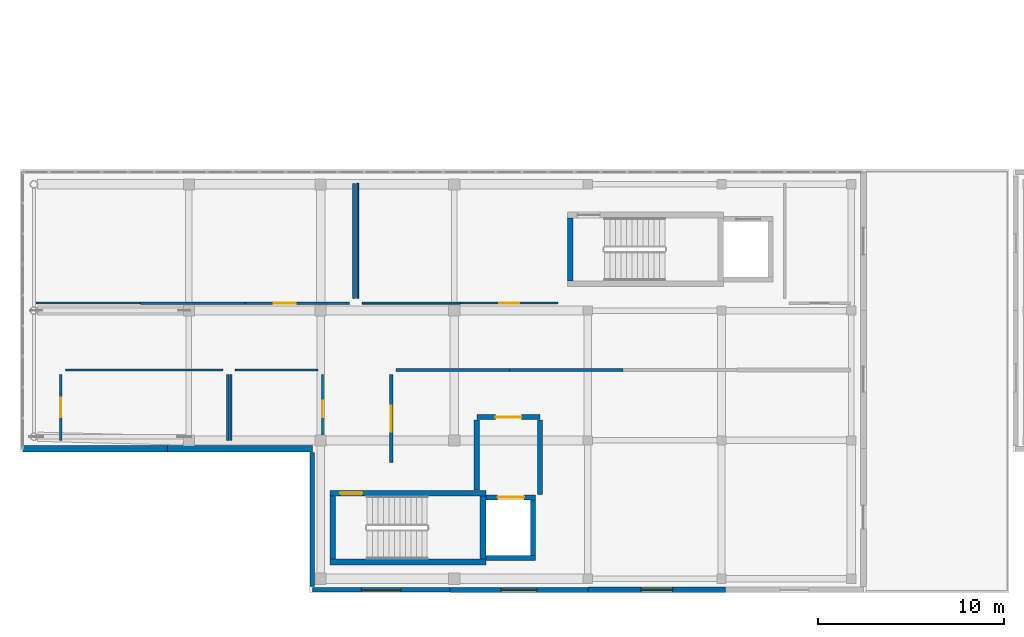
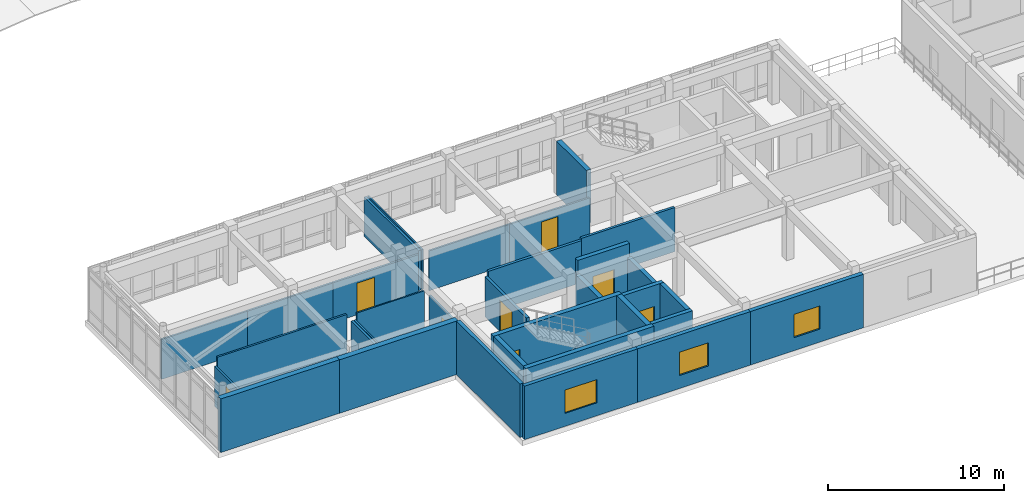
# One storey, part 46 of 52: 33 walls, 8 doors, 3 windows, 11 openings.
"""IFC4 building model written with IfcOpenShell, lengths in metres."""

import ifcopenshell
import ifcopenshell.guid

model = None  # the IFC model being written
_history = None  # IfcOwnerHistory: only IFC2X3 demands one
_inside = {}  # id of a spatial element -> (the spatial element, [elements in it])
_under = {}  # id of a project, library or spatial element -> (it, [spatial elements below it])
_declared = {}  # id of a project -> (the project, [libraries it declares])
_typed = {}  # id of a type object -> (the type object, [elements of that type])
_made_of = {}  # id of a material, layer set ... -> (it, [elements and type objects made of it])


def new_model(schema):
    """Start an empty IFC model of exactly this schema.

    Asked for "IFC4X3", IfcOpenShell would pick the latest addendum, in which some entities
    have other attributes; the version numbers below select the first issue.
    IFC2X3 requires an IfcOwnerHistory on every rooted entity: one is made here for all.
    """
    global model, _history
    if schema == "IFC4X3":
        model = ifcopenshell.file(schema_version=(4, 3, 0, 0))
    else:
        model = ifcopenshell.file(schema=schema)
    _inside.clear()
    _under.clear()
    _declared.clear()
    _typed.clear()
    _made_of.clear()
    _history = None
    if model.schema == "IFC2X3":
        org = make("IfcOrganization", Name="unknown")
        user = make(
            "IfcPersonAndOrganization",
            ThePerson=make("IfcPerson", FamilyName="unknown"),
            TheOrganization=org,
        )
        app = make(
            "IfcApplication",
            ApplicationDeveloper=org,
            Version="unknown",
            ApplicationFullName="unknown",
            ApplicationIdentifier="unknown",
        )
        _history = make(
            "IfcOwnerHistory",
            OwningUser=user,
            OwningApplication=app,
            ChangeAction="ADDED",
            CreationDate=0,
        )
    return model


def make(cls, **values):
    """One entity of the class cls with the attributes given. An attribute that is None is left unset."""
    return model.create_entity(
        cls, **{name: value for name, value in values.items() if value is not None}
    )


def rooted(cls, **values):
    """An entity with a GlobalId (a new one), such as an element, a storey or a relation."""
    return make(cls, GlobalId=ifcopenshell.guid.new(), OwnerHistory=_history, **values)


def si_unit(unit_type, name, prefix=None):
    """IfcSIUnit, for example si_unit("LENGTHUNIT", "METRE", prefix="MILLI")."""
    return make("IfcSIUnit", UnitType=unit_type, Prefix=prefix, Name=name)


def assignment(units):
    """IfcUnitAssignment: the units of a project."""
    return None if units is None else make("IfcUnitAssignment", Units=units)


def point(xyz):
    """IfcCartesianPoint."""
    return None if xyz is None else make("IfcCartesianPoint", Coordinates=xyz)


def direction(xyz):
    """IfcDirection."""
    return None if xyz is None else make("IfcDirection", DirectionRatios=xyz)


def frame(location, z_axis=None, x_axis=None):
    """IfcAxis2Placement3D, a coordinate frame: its origin and axes. An axis left out is left unset."""
    return make(
        "IfcAxis2Placement3D",
        Location=point(location),
        Axis=direction(z_axis),
        RefDirection=direction(x_axis),
    )


def frame_2d(location, x_axis=None):
    """IfcAxis2Placement2D, a coordinate frame in the plane: its origin and x axis."""
    return make(
        "IfcAxis2Placement2D", Location=point(location), RefDirection=direction(x_axis)
    )


def origin():
    """The frame at (0, 0, 0) with its axes left unset."""
    return frame((0.0, 0.0, 0.0))


def place(relative_to, where):
    """IfcLocalPlacement: puts the frame where relative to a parent placement (None: the world)."""
    return make(
        "IfcLocalPlacement", PlacementRelTo=relative_to, RelativePlacement=where
    )


def context(
    kind, dimensions, precision=None, world=None, true_north=None, identifier=None
):
    """IfcGeometricRepresentationContext, for example the 3D "Model" context."""
    return make(
        "IfcGeometricRepresentationContext",
        ContextIdentifier=identifier,
        ContextType=kind,
        CoordinateSpaceDimension=dimensions,
        Precision=precision,
        WorldCoordinateSystem=world,
        TrueNorth=true_north,
    )


def subcontext(parent, identifier, kind, view, scale=None):
    """IfcGeometricRepresentationSubContext, for example "Body" below "Model"."""
    return make(
        "IfcGeometricRepresentationSubContext",
        ContextIdentifier=identifier,
        ContextType=kind,
        ParentContext=parent,
        TargetScale=scale,
        TargetView=view,
    )


def project(units=None, contexts=None):
    """IfcProject with its units and contexts."""
    return rooted(
        "IfcProject",
        Name="project",
        RepresentationContexts=contexts,
        UnitsInContext=assignment(units),
    )


def spatial(cls, under=None, at=None, **own):
    """A site, building, storey or space (cls), placed at a placement, below another one or the project."""
    s = rooted(cls, ObjectPlacement=at, **own)
    if under is not None:
        _under.setdefault(under.id(), (under, []))[1].append(s)
    return s


def profile(cls, at=None, kind="AREA", **sizes):
    """A parametric profile (cls). Its sizes go by their IFC names, for example OverallWidth=200.0."""
    return make(cls, ProfileType=kind, Position=at, **sizes)


def rectangle(**sizes):
    """IfcRectangleProfileDef."""
    return profile("IfcRectangleProfileDef", **sizes)


def extrude(swept, where, along, depth):
    """IfcExtrudedAreaSolid: the profile swept, set in the frame where, extruded along a direction by depth."""
    return make(
        "IfcExtrudedAreaSolid",
        SweptArea=swept,
        Position=where,
        ExtrudedDirection=direction(along),
        Depth=depth,
    )


def shape(context_of_items, identifier, shape_type, items):
    """IfcShapeRepresentation: the items that make up one representation, for example the "Body"."""
    return make(
        "IfcShapeRepresentation",
        ContextOfItems=context_of_items,
        RepresentationIdentifier=identifier,
        RepresentationType=shape_type,
        Items=items,
    )


def material(Name=None, Category=None):
    """IfcMaterial."""
    return make("IfcMaterial", Name=Name, Category=Category)


def layer(
    of_material, thickness, ventilated=None, Name=None, Category=None, Priority=None
):
    """IfcMaterialLayer: one layer of a wall or slab, of a material (None: an air gap)."""
    return make(
        "IfcMaterialLayer",
        Material=of_material,
        LayerThickness=thickness,
        IsVentilated=ventilated,
        Name=Name,
        Category=Category,
        Priority=Priority,
    )


def layer_set(layers, Name=None):
    """IfcMaterialLayerSet."""
    return make("IfcMaterialLayerSet", MaterialLayers=layers, LayerSetName=Name)


def made_of(thing, what):
    """Note that an element or type object is made of a material, layer set ...; save() writes the relation."""
    if what is not None:
        _made_of.setdefault(what.id(), (what, []))[1].append(thing)
    return thing


def type_object(cls, material=None, **own):
    """A type object (cls), such as IfcWallType, which elements share."""
    return made_of(rooted(cls, **own), material)


def element(
    cls,
    number,
    at=None,
    inside=None,
    cuts=None,
    type_object=None,
    material=None,
    context=None,
    identifier="Body",
    shape_type=None,
    held_by="IfcProductDefinitionShape",
    body=None,
    shapes=None,
    **own,
):
    """One element of the class cls, such as IfcWall. Its Tag is "e" and its number.

    at: its placement. inside: the storey or other place that contains it. cuts: it is an
    opening in that element (IfcRelVoidsElement). A single representation is given by context,
    identifier, shape_type and body (its items); several are given by shapes. held_by: the class
    of the entity that holds the representations. save() writes the other relations.
    """
    e = rooted(cls, Tag="e%d" % number, ObjectPlacement=at, **own)
    if body is not None:
        shapes = [shape(context, identifier, shape_type, body)]
    if shapes is not None:
        e.Representation = make(held_by, Representations=shapes)
    if inside is not None:
        _inside.setdefault(inside.id(), (inside, []))[1].append(e)
    if cuts is not None:
        rooted(
            "IfcRelVoidsElement", RelatingBuildingElement=cuts, RelatedOpeningElement=e
        )
    if type_object is not None:
        _typed.setdefault(type_object.id(), (type_object, []))[1].append(e)
    return made_of(e, material)


def fill(opening, filler):
    """IfcRelFillsElement: the door or window that sits in an opening."""
    return rooted(
        "IfcRelFillsElement",
        RelatingOpeningElement=opening,
        RelatedBuildingElement=filler,
    )


def aggregate(whole, parts):
    """IfcRelAggregates: a whole, such as a stair, and the parts it consists of."""
    return rooted("IfcRelAggregates", RelatingObject=whole, RelatedObjects=parts)


def save(model, path):
    """Write the relations noted so far, then the file.

    IfcRelAggregates (storeys below a building ...), IfcRelContainedInSpatialStructure (elements
    in a storey), IfcRelDefinesByType, IfcRelAssociatesMaterial and IfcRelDeclares: one each for
    every whole, place, type object, material and project.
    """
    for whole, parts in _under.values():
        aggregate(whole, parts)
    for where, things in _inside.values():
        rooted(
            "IfcRelContainedInSpatialStructure",
            RelatedElements=things,
            RelatingStructure=where,
        )
    for kind, things in _typed.values():
        rooted("IfcRelDefinesByType", RelatedObjects=things, RelatingType=kind)
    for what, things in _made_of.values():
        rooted("IfcRelAssociatesMaterial", RelatedObjects=things, RelatingMaterial=what)
    for by, libraries in _declared.values():
        rooted("IfcRelDeclares", RelatingContext=by, RelatedDefinitions=libraries)
    model.write(path)


model = new_model("IFC4")

# Units and contexts
model_context = context("Model", 3, precision=1e-05, world=origin(), true_north=direction((0.0, 1.0)))
body_context = subcontext(model_context, "Body", "Model", "MODEL_VIEW")
ifc_project = project(units=[si_unit("LENGTHUNIT", "METRE"), si_unit("AREAUNIT", "SQUARE_METRE"), si_unit("VOLUMEUNIT", "CUBIC_METRE"), si_unit("PLANEANGLEUNIT", "RADIAN"), si_unit("MASSUNIT", "GRAM", prefix="KILO")], contexts=[model_context])

# Site, building, storey
site_placement = place(None, origin())
site = spatial("IfcSite", under=ifc_project, at=site_placement, CompositionType="ELEMENT")
building_placement = place(site_placement, origin())
building = spatial("IfcBuilding", under=site, at=building_placement, Name="Valcora Specialist Clinic", CompositionType="ELEMENT")
storey_placement = place(building_placement, frame((0.0, 0.0, 17.679931640625)))
storey = spatial("IfcBuildingStorey", under=building, at=storey_placement, Name="L04", CompositionType="ELEMENT", Elevation=17.679931640625)

# Wall, opening, door
ifc_material_1 = material(Name="Concrete C40/50", Category="concrete")
ifc_layer_1 = layer(ifc_material_1, 0.284912109375)
ifc_layer_set_1 = layer_set([ifc_layer_1], Name="Concrete C40/50")
wall_type_1 = type_object("IfcWallType", Name="TY-WL-CR285", PredefinedType="SHEAR", material=ifc_layer_set_1)
wall_1_placement = place(storey_placement, frame((24.6201171875, 9.4599609375, 0.0), z_axis=(0.0, 0.0, 1.0), x_axis=(1.0, 0.0, 0.0)))
wall_1 = element("IfcWall", 1, at=wall_1_placement, inside=storey, type_object=wall_type_1, Name="Firefighting lobby front wall WL-FFL-LF-05-L04-F", PredefinedType="SHEAR", context=body_context, shape_type="SweptSolid", body=[
    extrude(rectangle(XDim=3.39990234375, YDim=0.284912109375, at=frame_2d((1.699951171875, 0.0))), origin(), (0.0, 0.0, 1.0), 3.719970703125),
])
opening_1_placement = place(wall_1_placement, frame((1.0, 0.0, 0.0)))
opening_1 = element("IfcOpeningElement", 2, at=opening_1_placement, cuts=wall_1, Name="Opening DR-FF-140", PredefinedType="OPENING", context=body_context, shape_type="SweptSolid", body=[
    extrude(rectangle(XDim=1.39990234375, YDim=2.25, at=frame_2d((0.699951171875, 1.125))), frame((0.0, 0.15234375, 0.0), z_axis=(0.0, -1.0, 0.0), x_axis=(1.0, 0.0, 0.0)), (0.0, 0.0, 1.0), 0.304931640625),
])
ifc_material_2 = material(Name="Galvanized Hollow Metal Door Steel ASTM A653", Category="steel")
door_type_1 = type_object("IfcDoorType", Name="TY-DR-FF140", OperationType="NOTDEFINED", PredefinedType="DOOR", material=ifc_material_2)
door_1_placement = place(opening_1_placement, origin())
door_1 = element("IfcDoor", 3, at=door_1_placement, inside=storey, type_object=door_type_1, Name="Firefighting lobby fire door LF-05 L04", OperationType="SINGLE_SWING_LEFT", OverallHeight=2.25, OverallWidth=1.39990234375, PredefinedType="DOOR", context=body_context, shape_type="SweptSolid", body=[
    extrude(rectangle(XDim=1.39990234375, YDim=2.25, at=frame_2d((0.699951171875, 1.125))), frame((0.0, 0.02490234375, 0.0), z_axis=(0.0, -1.0, 0.0), x_axis=(1.0, 0.0, 0.0)), (0.0, 0.0, 1.0), 0.050048828125),
])
fill(opening_1, door_1)

# Walls
wall_2_placement = place(storey_placement, frame((24.6201171875, 5.52001953125, 0.0), z_axis=(0.0, 0.0, 1.0), x_axis=(0.0, 1.0, 0.0)))
element("IfcWall", 4, at=wall_2_placement, inside=storey, type_object=wall_type_1, Name="Firefighting lobby west wall", PredefinedType="SHEAR", context=body_context, shape_type="SweptSolid", body=[
    extrude(rectangle(XDim=3.7900390625, YDim=0.284912109375, at=frame_2d((1.89501953125, 0.0))), origin(), (0.0, 0.0, 1.0), 2.77001953125),
])
wall_3_placement = place(storey_placement, frame((28.02001953125, 5.280029296875, 0.0), z_axis=(0.0, 0.0, 1.0), x_axis=(0.0, 1.0, 0.0)))
element("IfcWall", 5, at=wall_3_placement, inside=storey, type_object=wall_type_1, Name="Firefighting lobby east wall", PredefinedType="SHEAR", context=body_context, shape_type="SweptSolid", body=[
    extrude(rectangle(XDim=4.030029296875, YDim=0.284912109375, at=frame_2d((2.01513671875, 0.0))), origin(), (0.0, 0.0, 1.0), 2.77001953125),
])
ifc_layer_2 = layer(ifc_material_1, 0.300048828125)
ifc_layer_set_2 = layer_set([ifc_layer_2], Name="Concrete C40/50")
wall_type_2 = type_object("IfcWallType", Name="TY-WL-CR300", PredefinedType="SHEAR", material=ifc_layer_set_2)
wall_4_placement = place(storey_placement, frame((16.699951171875, 1.64990234375, 0.0), z_axis=(0.0, 0.0, 1.0), x_axis=(1.0, 0.0, 0.0)))
element("IfcWall", 6, at=wall_4_placement, inside=storey, type_object=wall_type_2, Name="Core shear wall WL-CR-C-V5A-L04-S", PredefinedType="SHEAR", context=body_context, shape_type="SweptSolid", body=[
    extrude(rectangle(XDim=8.420166015625, YDim=0.300048828125, at=frame_2d((4.2099609375, 0.0))), origin(), (0.0, 0.0, 1.0), 3.719970703125),
])

# Wall, opening, door
wall_5_placement = place(storey_placement, frame((16.699951171875, 5.35009765625, 0.0), z_axis=(0.0, 0.0, 1.0), x_axis=(1.0, 0.0, 0.0)))
wall_5 = element("IfcWall", 7, at=wall_5_placement, inside=storey, type_object=wall_type_2, Name="Core shear wall WL-CR-C-V5A-L04-N", PredefinedType="SHEAR", context=body_context, shape_type="SweptSolid", body=[
    extrude(rectangle(XDim=8.420166015625, YDim=0.300048828125, at=frame_2d((4.2099609375, 0.0))), origin(), (0.0, 0.0, 1.0), 3.719970703125),
])
opening_2_placement = place(wall_5_placement, frame((0.550048828125, 0.0, 0.0)))
opening_2 = element("IfcOpeningElement", 8, at=opening_2_placement, cuts=wall_5, Name="Opening DR-FD-120", PredefinedType="OPENING", context=body_context, shape_type="SweptSolid", body=[
    extrude(rectangle(XDim=1.199951171875, YDim=2.199951171875, at=frame_2d((0.60009765625, 1.10009765625))), frame((0.0, 0.159912109375, 0.0), z_axis=(0.0, -1.0, 0.0), x_axis=(1.0, 0.0, 0.0)), (0.0, 0.0, 1.0), 0.320068359375),
])
door_type_2 = type_object("IfcDoorType", Name="TY-DR-ST120", OperationType="NOTDEFINED", PredefinedType="DOOR", material=ifc_material_2)
door_2_placement = place(opening_2_placement, origin())
door_2 = element("IfcDoor", 9, at=door_2_placement, inside=storey, type_object=door_type_2, Name="Exit stair fire door C-V5A L04", OperationType="SINGLE_SWING_RIGHT", OverallHeight=2.199951171875, OverallWidth=1.199951171875, PredefinedType="DOOR", context=body_context, shape_type="SweptSolid", body=[
    extrude(rectangle(XDim=1.199951171875, YDim=2.199951171875, at=frame_2d((0.60009765625, 1.10009765625))), frame((0.0, 0.02490234375, 0.0), z_axis=(0.0, -1.0, 0.0), x_axis=(1.0, 0.0, 0.0)), (0.0, 0.0, 1.0), 0.050048828125),
])
fill(opening_2, door_2)

# Walls
for number, where, z_axis, x_axis, name in (
    (10, (16.85009765625, 1.802001953125, 0.0), (0.0, 0.0, 1.0), (0.0, 1.0, 0.0), "Core shear wall WL-CR-C-V5A-L04-W"),
    (11, (29.64990234375, 16.802001953125, 0.0), (0.0, 0.0, 1.0), (0.0, 1.0, 0.0), "Core shear wall WL-CR-C-V5B-L04-W"),
):
    element("IfcWall", number, at=place(storey_placement, frame(where, z_axis=z_axis, x_axis=x_axis)), inside=storey, type_object=wall_type_2, Name=name, PredefinedType="SHEAR", context=body_context, shape_type="SweptSolid", body=[
        extrude(rectangle(XDim=3.39599609375, YDim=0.300048828125, at=frame_2d((1.697998046875, 0.0))), origin(), (0.0, 0.0, 1.0), 3.719970703125),
    ])
ifc_layer_3 = layer(ifc_material_1, 0.320068359375)
ifc_layer_set_3 = layer_set([ifc_layer_3], Name="Concrete C40/50")
wall_type_3 = type_object("IfcWallType", Name="TY-WL-CR320", PredefinedType="SHEAR", material=ifc_layer_set_3)
wall_6_placement = place(storey_placement, frame((24.9599609375, 1.802001953125, 0.0), z_axis=(0.0, 0.0, 1.0), x_axis=(0.0, 1.0, 0.0)))
element("IfcWall", 12, at=wall_6_placement, inside=storey, type_object=wall_type_3, Name="Core shear wall WL-CR-C-V5A-L04-E", PredefinedType="SHEAR", context=body_context, shape_type="SweptSolid", body=[
    extrude(rectangle(XDim=3.39599609375, YDim=0.320068359375, at=frame_2d((1.697998046875, 0.0))), origin(), (0.0, 0.0, 1.0), 3.719970703125),
])
ifc_material_3 = material(Name="Extruded Jalisco Clay Brick Masonry", Category="masonry")
ifc_layer_4 = layer(ifc_material_3, 0.235107421875)
ifc_layer_set_4 = layer_set([ifc_layer_4], Name="Extruded Jalisco Clay Brick Masonry")
wall_type_4 = type_object("IfcWallType", Name="TY-WL-EW235", PredefinedType="SOLIDWALL", material=ifc_layer_set_4)
wall_7_placement = place(storey_placement, frame((15.75, 0.340087890625, 0.0), z_axis=(0.0, 0.0, 1.0), x_axis=(0.0, 1.0, 0.0)))
element("IfcWall", 13, at=wall_7_placement, inside=storey, type_object=wall_type_4, Name="Exterior wall WL-EXT-L04-0280", PredefinedType="SOLIDWALL", context=body_context, shape_type="SweptSolid", body=[
    extrude(rectangle(XDim=7.219970703125, YDim=0.235107421875, at=frame_2d((3.60986328125, 0.0))), origin(), (0.0, 0.0, 1.0), 3.719970703125),
])

# Wall, opening, window
ifc_layer_5 = layer(ifc_material_3, 0.25)
ifc_layer_set_5 = layer_set([ifc_layer_5], Name="Extruded Jalisco Clay Brick Masonry")
wall_type_5 = type_object("IfcWallType", Name="TY-WL-EW250", PredefinedType="SOLIDWALL", material=ifc_layer_set_5)
wall_8_placement = place(storey_placement, frame((23.175048828125, 0.14990234375, 0.0), z_axis=(0.0, 0.0, 1.0), x_axis=(-1.0, 0.0, 0.0)))
wall_8 = element("IfcWall", 14, at=wall_8_placement, inside=storey, type_object=wall_type_5, Name="Exterior wall WL-EXT-L04-0289", PredefinedType="SOLIDWALL", context=body_context, shape_type="SweptSolid", body=[
    extrude(rectangle(XDim=7.425048828125, YDim=0.25, at=frame_2d((3.71240234375, 0.0))), origin(), (0.0, 0.0, 1.0), 3.719970703125),
])
opening_3_placement = place(wall_8_placement, frame((2.653076171875, 0.0, 0.89990234375)))
opening_3 = element("IfcOpeningElement", 15, at=opening_3_placement, cuts=wall_8, Name="Opening WN-37", PredefinedType="OPENING", context=body_context, shape_type="SweptSolid", body=[
    extrude(rectangle(XDim=2.1201171875, YDim=1.6201171875, at=frame_2d((1.06005859375, 0.81005859375))), frame((0.0, 0.135009765625, 0.0), z_axis=(0.0, -1.0, 0.0), x_axis=(1.0, 0.0, 0.0)), (0.0, 0.0, 1.0), 0.27001953125),
])
ifc_material_4 = material(Name="Low-E Laminated Insulating Glass", Category="glass")
window_type_1 = type_object("IfcWindowType", Name="TY-WN-37", PartitioningType="SINGLE_PANEL", PredefinedType="WINDOW", material=ifc_material_4)
window_1_placement = place(opening_3_placement, origin())
window_1 = element("IfcWindow", 16, at=window_1_placement, inside=storey, type_object=window_type_1, Name="Facade window WN-L04-0247", OverallHeight=1.6201171875, OverallWidth=2.1201171875, PartitioningType="SINGLE_PANEL", PredefinedType="WINDOW", context=body_context, shape_type="SweptSolid", body=[
    extrude(rectangle(XDim=2.1201171875, YDim=1.6201171875, at=frame_2d((1.06005859375, 0.81005859375))), frame((0.0, 0.030029296875, 0.0), z_axis=(0.0, -1.0, 0.0), x_axis=(1.0, 0.0, 0.0)), (0.0, 0.0, 1.0), 0.06005859375),
])
fill(opening_3, window_1)

ifc_layer_6 = layer(ifc_material_3, 0.264892578125)
ifc_layer_set_6 = layer_set([ifc_layer_6], Name="Extruded Jalisco Clay Brick Masonry")
wall_type_6 = type_object("IfcWallType", Name="TY-WL-EW265", PredefinedType="SOLIDWALL", material=ifc_layer_set_6)
wall_9_placement = place(storey_placement, frame((30.60009765625, 0.14990234375, 0.0), z_axis=(0.0, 0.0, 1.0), x_axis=(-1.0, 0.0, 0.0)))
wall_9 = element("IfcWall", 17, at=wall_9_placement, inside=storey, type_object=wall_type_6, Name="Exterior wall WL-EXT-L04-0288", PredefinedType="SOLIDWALL", context=body_context, shape_type="SweptSolid", body=[
    extrude(rectangle(XDim=7.425048828125, YDim=0.264892578125, at=frame_2d((3.71240234375, 0.0))), origin(), (0.0, 0.0, 1.0), 3.719970703125),
])
opening_4_placement = place(wall_9_placement, frame((2.7529296875, 0.0, 0.89990234375)))
opening_4 = element("IfcOpeningElement", 18, at=opening_4_placement, cuts=wall_9, Name="Opening WN-36", PredefinedType="OPENING", context=body_context, shape_type="SweptSolid", body=[
    extrude(rectangle(XDim=1.919921875, YDim=1.6201171875, at=frame_2d((0.9599609375, 0.81005859375))), frame((0.0, 0.142333984375, 0.0), z_axis=(0.0, -1.0, 0.0), x_axis=(1.0, 0.0, 0.0)), (0.0, 0.0, 1.0), 0.284912109375),
])
window_type_2 = type_object("IfcWindowType", Name="TY-WN-36", PartitioningType="SINGLE_PANEL", PredefinedType="WINDOW", material=ifc_material_4)
window_2_placement = place(opening_4_placement, origin())
window_2 = element("IfcWindow", 19, at=window_2_placement, inside=storey, type_object=window_type_2, Name="Facade window WN-L04-0246", OverallHeight=1.6201171875, OverallWidth=1.919921875, PartitioningType="SINGLE_PANEL", PredefinedType="WINDOW", context=body_context, shape_type="SweptSolid", body=[
    extrude(rectangle(XDim=1.919921875, YDim=1.6201171875, at=frame_2d((0.9599609375, 0.81005859375))), frame((0.0, 0.030029296875, 0.0), z_axis=(0.0, -1.0, 0.0), x_axis=(1.0, 0.0, 0.0)), (0.0, 0.0, 1.0), 0.06005859375),
])
fill(opening_4, window_2)

ifc_layer_7 = layer(ifc_material_3, 0.280029296875)
ifc_layer_set_7 = layer_set([ifc_layer_7], Name="Extruded Jalisco Clay Brick Masonry")
wall_type_7 = type_object("IfcWallType", Name="TY-WL-EW280", PredefinedType="SOLIDWALL", material=ifc_layer_set_7)
wall_10_placement = place(storey_placement, frame((38.02490234375, 0.14990234375, 0.0), z_axis=(0.0, 0.0, 1.0), x_axis=(-1.0, 0.0, 0.0)))
wall_10 = element("IfcWall", 20, at=wall_10_placement, inside=storey, type_object=wall_type_7, Name="Exterior wall WL-EXT-L04-0287", PredefinedType="SOLIDWALL", context=body_context, shape_type="SweptSolid", body=[
    extrude(rectangle(XDim=7.4248046875, YDim=0.280029296875, at=frame_2d((3.71240234375, 0.0))), origin(), (0.0, 0.0, 1.0), 3.719970703125),
])
opening_5_placement = place(wall_10_placement, frame((2.85205078125, 0.0, 0.89990234375)))
opening_5 = element("IfcOpeningElement", 21, at=opening_5_placement, cuts=wall_10, Name="Opening WN-35", PredefinedType="OPENING", context=body_context, shape_type="SweptSolid", body=[
    extrude(rectangle(XDim=1.719970703125, YDim=1.6201171875, at=frame_2d((0.85986328125, 0.81005859375))), frame((0.0, 0.14990234375, 0.0), z_axis=(0.0, -1.0, 0.0), x_axis=(1.0, 0.0, 0.0)), (0.0, 0.0, 1.0), 0.300048828125),
])
window_type_3 = type_object("IfcWindowType", Name="TY-WN-35", PartitioningType="SINGLE_PANEL", PredefinedType="WINDOW", material=ifc_material_4)
window_3_placement = place(opening_5_placement, origin())
window_3 = element("IfcWindow", 22, at=window_3_placement, inside=storey, type_object=window_type_3, Name="Facade window WN-L04-0245", OverallHeight=1.6201171875, OverallWidth=1.719970703125, PartitioningType="SINGLE_PANEL", PredefinedType="WINDOW", context=body_context, shape_type="SweptSolid", body=[
    extrude(rectangle(XDim=1.719970703125, YDim=1.6201171875, at=frame_2d((0.85986328125, 0.81005859375))), frame((0.0, 0.030029296875, 0.0), z_axis=(0.0, -1.0, 0.0), x_axis=(1.0, 0.0, 0.0)), (0.0, 0.0, 1.0), 0.06005859375),
])
fill(opening_5, window_3)

# Walls
ifc_layer_8 = layer(ifc_material_3, 0.35498046875)
ifc_layer_set_8 = layer_set([ifc_layer_8], Name="Extruded Jalisco Clay Brick Masonry")
wall_type_8 = type_object("IfcWallType", Name="TY-WL-EW355", PredefinedType="SOLIDWALL", material=ifc_layer_set_8)
wall_11_placement = place(storey_placement, frame((7.949951171875, 7.75, 0.0), z_axis=(0.0, 0.0, 1.0), x_axis=(-1.0, 0.0, 0.0)))
element("IfcWall", 23, at=wall_11_placement, inside=storey, type_object=wall_type_8, Name="Exterior wall WL-EXT-L04-0282", PredefinedType="SOLIDWALL", context=body_context, shape_type="SweptSolid", body=[
    extrude(rectangle(XDim=7.800048828125, YDim=0.35498046875, at=frame_2d((3.89990234375, 0.0))), origin(), (0.0, 0.0, 1.0), 3.719970703125),
])
ifc_layer_9 = layer(ifc_material_3, 0.3701171875)
ifc_layer_set_9 = layer_set([ifc_layer_9], Name="Extruded Jalisco Clay Brick Masonry")
wall_type_9 = type_object("IfcWallType", Name="TY-WL-EW370", PredefinedType="SOLIDWALL", material=ifc_layer_set_9)
wall_12_placement = place(storey_placement, frame((15.75, 7.75, 0.0), z_axis=(0.0, 0.0, 1.0), x_axis=(-1.0, 0.0, 0.0)))
element("IfcWall", 24, at=wall_12_placement, inside=storey, type_object=wall_type_9, Name="Exterior wall WL-EXT-L04-0281", PredefinedType="SOLIDWALL", context=body_context, shape_type="SweptSolid", body=[
    extrude(rectangle(XDim=7.800048828125, YDim=0.3701171875, at=frame_2d((3.89990234375, 0.0))), origin(), (0.0, 0.0, 1.0), 3.719970703125),
])
ifc_material_5 = material(Name="Gypsum Board Partition Assembly")
ifc_layer_10 = layer(ifc_material_5, 0.094970703125)
ifc_layer_set_10 = layer_set([ifc_layer_10], Name="Gypsum Board Partition Assembly")
wall_type_10 = type_object("IfcWallType", Name="TY-WL-PT095", PredefinedType="PARTITIONING", material=ifc_layer_set_10)
wall_13_placement = place(storey_placement, frame((18.199951171875, 15.85009765625, 0.0), z_axis=(0.0, 0.0, 1.0), x_axis=(0.0, 1.0, 0.0)))
element("IfcWall", 25, at=wall_13_placement, inside=storey, type_object=wall_type_10, Name="Interior partition WL-INT-L04-0467", PredefinedType="PARTITIONING", context=body_context, shape_type="SweptSolid", body=[
    extrude(rectangle(XDim=6.199951171875, YDim=0.094970703125, at=frame_2d((3.10009765625, 0.0))), origin(), (0.0, 0.0, 1.0), 2.77001953125),
])
wall_14_placement = place(storey_placement, frame((11.610107421875, 12.0, 0.0), z_axis=(0.0, 0.0, 1.0), x_axis=(1.0, 0.0, 0.0)))
element("IfcWall", 26, at=wall_14_placement, inside=storey, type_object=wall_type_10, Name="Interior partition WL-INT-L04-0473", PredefinedType="PARTITIONING", context=body_context, shape_type="SweptSolid", body=[
    extrude(rectangle(XDim=4.43994140625, YDim=0.094970703125, at=frame_2d((2.219970703125, 0.0))), origin(), (0.0, 0.0, 1.0), 3.02001953125),
])
ifc_layer_11 = layer(ifc_material_5, 0.10498046875)
ifc_layer_set_11 = layer_set([ifc_layer_11], Name="Gypsum Board Partition Assembly")
wall_type_11 = type_object("IfcWallType", Name="TY-WL-PT105", PredefinedType="PARTITIONING", material=ifc_layer_set_11)
wall_15_placement = place(storey_placement, frame((23.72509765625, 15.60009765625, 0.0), z_axis=(0.0, 0.0, 1.0), x_axis=(-1.0, 0.0, 0.0)))
element("IfcWall", 27, at=wall_15_placement, inside=storey, type_object=wall_type_11, Name="Interior partition WL-INT-L04-0466", PredefinedType="PARTITIONING", context=body_context, shape_type="SweptSolid", body=[
    extrude(rectangle(XDim=5.275146484375, YDim=0.10498046875, at=frame_2d((2.6376953125, 0.0))), origin(), (0.0, 0.0, 1.0), 2.77001953125),
])
wall_16_placement = place(storey_placement, frame((11.360107421875, 8.2099609375, 0.0), z_axis=(0.0, 0.0, 1.0), x_axis=(0.0, 1.0, 0.0)))
element("IfcWall", 28, at=wall_16_placement, inside=storey, type_object=wall_type_11, Name="Interior partition WL-INT-L04-0472", PredefinedType="PARTITIONING", context=body_context, shape_type="SweptSolid", body=[
    extrude(rectangle(XDim=3.5400390625, YDim=0.10498046875, at=frame_2d((1.77001953125, 0.0))), origin(), (0.0, 0.0, 1.0), 2.77001953125),
])
ifc_layer_12 = layer(ifc_material_5, 0.114990234375)
ifc_layer_set_12 = layer_set([ifc_layer_12], Name="Gypsum Board Partition Assembly")
wall_type_12 = type_object("IfcWallType", Name="TY-WL-PT115", PredefinedType="PARTITIONING", material=ifc_layer_set_12)
wall_17_placement = place(storey_placement, frame((6.48291015625, 15.60009765625, 0.0), z_axis=(0.0, 0.0, 1.0), x_axis=(-1.0, 0.0, 0.0)))
element("IfcWall", 29, at=wall_17_placement, inside=storey, type_object=wall_type_12, Name="Interior partition WL-INT-L04-0459", PredefinedType="PARTITIONING", context=body_context, shape_type="SweptSolid", body=[
    extrude(rectangle(XDim=5.6328125, YDim=0.114990234375, at=frame_2d((2.81640625, 0.0))), origin(), (0.0, 0.0, 1.0), 2.77001953125),
])

# Wall, opening, door
wall_18_placement = place(storey_placement, frame((29.0, 15.60009765625, 0.0), z_axis=(0.0, 0.0, 1.0), x_axis=(-1.0, 0.0, 0.0)))
wall_18 = element("IfcWall", 30, at=wall_18_placement, inside=storey, type_object=wall_type_12, Name="Interior partition WL-INT-L04-0465", PredefinedType="PARTITIONING", context=body_context, shape_type="SweptSolid", body=[
    extrude(rectangle(XDim=5.27490234375, YDim=0.114990234375, at=frame_2d((2.637451171875, 0.0))), origin(), (0.0, 0.0, 1.0), 2.77001953125),
])
opening_6_placement = place(wall_18_placement, frame((2.0869140625, 0.0, 0.0)))
opening_6 = element("IfcOpeningElement", 31, at=opening_6_placement, cuts=wall_18, Name="Opening DR-CN-110", PredefinedType="OPENING", context=body_context, shape_type="SweptSolid", body=[
    extrude(rectangle(XDim=1.10009765625, YDim=2.199951171875, at=frame_2d((0.550048828125, 1.10009765625))), frame((0.0, 0.0673828125, 0.0), z_axis=(0.0, -1.0, 0.0), x_axis=(1.0, 0.0, 0.0)), (0.0, 0.0, 1.0), 0.135009765625),
])
ifc_material_6 = material(Name="Glulam Conifer Class 24F", Category="wood")
door_type_3 = type_object("IfcDoorType", Name="TY-DR-CN110", OperationType="NOTDEFINED", PredefinedType="DOOR", material=ifc_material_6)
door_3_placement = place(opening_6_placement, origin())
door_3 = element("IfcDoor", 32, at=door_3_placement, inside=storey, type_object=door_type_3, Name="Interior door DR-INT-L04-0130", OperationType="SINGLE_SWING_RIGHT", OverallHeight=2.199951171875, OverallWidth=1.10009765625, PredefinedType="DOOR", context=body_context, shape_type="SweptSolid", body=[
    extrude(rectangle(XDim=1.10009765625, YDim=2.199951171875, at=frame_2d((0.550048828125, 1.10009765625))), frame((0.0, 0.02490234375, 0.0), z_axis=(0.0, -1.0, 0.0), x_axis=(1.0, 0.0, 0.0)), (0.0, 0.0, 1.0), 0.050048828125),
])
fill(opening_6, door_3)

wall_19_placement = place(storey_placement, frame((16.300048828125, 11.75, 0.0), z_axis=(0.0, 0.0, 1.0), x_axis=(0.0, -1.0, 0.0)))
wall_19 = element("IfcWall", 33, at=wall_19_placement, inside=storey, type_object=wall_type_12, Name="Interior partition WL-INT-L04-0471", PredefinedType="PARTITIONING", context=body_context, shape_type="SweptSolid", body=[
    extrude(rectangle(XDim=3.699951171875, YDim=0.114990234375, at=frame_2d((1.85009765625, 0.0))), origin(), (0.0, 0.0, 1.0), 2.77001953125),
])
opening_7_placement = place(wall_19_placement, frame((1.409912109375, 0.0, 0.0)))
opening_7 = element("IfcOpeningElement", 34, at=opening_7_placement, cuts=wall_19, Name="Opening DR-WC-088", PredefinedType="OPENING", context=body_context, shape_type="SweptSolid", body=[
    extrude(rectangle(XDim=0.8798828125, YDim=2.10009765625, at=frame_2d((0.43994140625, 1.050048828125))), frame((0.0, 0.0673828125, 0.0), z_axis=(0.0, -1.0, 0.0), x_axis=(1.0, 0.0, 0.0)), (0.0, 0.0, 1.0), 0.135009765625),
])
door_type_4 = type_object("IfcDoorType", Name="TY-DR-WC088", OperationType="NOTDEFINED", PredefinedType="DOOR", material=ifc_material_6)
door_4_placement = place(opening_7_placement, origin())
door_4 = element("IfcDoor", 35, at=door_4_placement, inside=storey, type_object=door_type_4, Name="Interior door DR-INT-L04-0132", OperationType="SINGLE_SWING_RIGHT", OverallHeight=2.10009765625, OverallWidth=0.8798828125, PredefinedType="DOOR", context=body_context, shape_type="SweptSolid", body=[
    extrude(rectangle(XDim=0.8798828125, YDim=2.10009765625, at=frame_2d((0.43994140625, 1.050048828125))), frame((0.0, 0.02490234375, 0.0), z_axis=(0.0, -1.0, 0.0), x_axis=(1.0, 0.0, 0.0)), (0.0, 0.0, 1.0), 0.050048828125),
])
fill(opening_7, door_4)

# Walls
ifc_layer_13 = layer(ifc_material_5, 0.125)
ifc_layer_set_13 = layer_set([ifc_layer_13], Name="Gypsum Board Partition Assembly")
wall_type_13 = type_object("IfcWallType", Name="TY-WL-PT125", PredefinedType="PARTITIONING", material=ifc_layer_set_13)
wall_20_placement = place(storey_placement, frame((12.116943359375, 15.60009765625, 0.0), z_axis=(0.0, 0.0, 1.0), x_axis=(-1.0, 0.0, 0.0)))
element("IfcWall", 36, at=wall_20_placement, inside=storey, type_object=wall_type_13, Name="Interior partition WL-INT-L04-0458", PredefinedType="PARTITIONING", context=body_context, shape_type="SweptSolid", body=[
    extrude(rectangle(XDim=5.634033203125, YDim=0.125, at=frame_2d((2.81689453125, 0.0))), origin(), (0.0, 0.0, 1.0), 2.77001953125),
])
wall_21_placement = place(storey_placement, frame((2.449951171875, 12.0, 0.0), z_axis=(0.0, 0.0, 1.0), x_axis=(1.0, 0.0, 0.0)))
element("IfcWall", 37, at=wall_21_placement, inside=storey, type_object=wall_type_13, Name="Interior partition WL-INT-L04-0470", PredefinedType="PARTITIONING", context=body_context, shape_type="SweptSolid", body=[
    extrude(rectangle(XDim=8.5, YDim=0.125, at=frame_2d((4.25, 0.0))), origin(), (0.0, 0.0, 1.0), 3.170166015625),
])

# Wall, opening, door
ifc_layer_14 = layer(ifc_material_5, 0.135009765625)
ifc_layer_set_14 = layer_set([ifc_layer_14], Name="Gypsum Board Partition Assembly")
wall_type_14 = type_object("IfcWallType", Name="TY-WL-PT135", PredefinedType="PARTITIONING", material=ifc_layer_set_14)
wall_22_placement = place(storey_placement, frame((17.75, 15.60009765625, 0.0), z_axis=(0.0, 0.0, 1.0), x_axis=(-1.0, 0.0, 0.0)))
wall_22 = element("IfcWall", 38, at=wall_22_placement, inside=storey, type_object=wall_type_14, Name="Interior partition WL-INT-L04-0457", PredefinedType="PARTITIONING", context=body_context, shape_type="SweptSolid", body=[
    extrude(rectangle(XDim=5.633056640625, YDim=0.135009765625, at=frame_2d((2.81640625, 0.0))), origin(), (0.0, 0.0, 1.0), 2.77001953125),
])
opening_8_placement = place(wall_22_placement, frame((2.89404296875, 0.0, 0.0)))
opening_8 = element("IfcOpeningElement", 39, at=opening_8_placement, cuts=wall_22, Name="Opening DR-CN-118", PredefinedType="OPENING", context=body_context, shape_type="SweptSolid", body=[
    extrude(rectangle(XDim=1.179931640625, YDim=2.199951171875, at=frame_2d((0.58984375, 1.10009765625))), frame((0.0, 0.077392578125, 0.0), z_axis=(0.0, -1.0, 0.0), x_axis=(1.0, 0.0, 0.0)), (0.0, 0.0, 1.0), 0.155029296875),
])
door_type_5 = type_object("IfcDoorType", Name="TY-DR-CN118", OperationType="NOTDEFINED", PredefinedType="DOOR", material=ifc_material_6)
door_5_placement = place(opening_8_placement, origin())
door_5 = element("IfcDoor", 40, at=door_5_placement, inside=storey, type_object=door_type_5, Name="Interior door DR-INT-L04-0128", OperationType="SINGLE_SWING_RIGHT", OverallHeight=2.199951171875, OverallWidth=1.179931640625, PredefinedType="DOOR", context=body_context, shape_type="SweptSolid", body=[
    extrude(rectangle(XDim=1.179931640625, YDim=2.199951171875, at=frame_2d((0.58984375, 1.10009765625))), frame((0.0, 0.02490234375, 0.0), z_axis=(0.0, -1.0, 0.0), x_axis=(1.0, 0.0, 0.0)), (0.0, 0.0, 1.0), 0.050048828125),
])
fill(opening_8, door_5)

wall_23_placement = place(storey_placement, frame((2.199951171875, 8.2099609375, 0.0), z_axis=(0.0, 0.0, 1.0), x_axis=(0.0, 1.0, 0.0)))
wall_23 = element("IfcWall", 41, at=wall_23_placement, inside=storey, type_object=wall_type_14, Name="Interior partition WL-INT-L04-0469", PredefinedType="PARTITIONING", context=body_context, shape_type="SweptSolid", body=[
    extrude(rectangle(XDim=3.5400390625, YDim=0.135009765625, at=frame_2d((1.77001953125, 0.0))), origin(), (0.0, 0.0, 1.0), 2.77001953125),
])
opening_9_placement = place(wall_23_placement, frame((1.239990234375, 0.0, 0.0)))
opening_9 = element("IfcOpeningElement", 42, at=opening_9_placement, cuts=wall_23, Name="Opening DR-CN-106", PredefinedType="OPENING", context=body_context, shape_type="SweptSolid", body=[
    extrude(rectangle(XDim=1.06005859375, YDim=2.14990234375, at=frame_2d((0.530029296875, 1.074951171875))), frame((0.0, 0.077392578125, 0.0), z_axis=(0.0, -1.0, 0.0), x_axis=(1.0, 0.0, 0.0)), (0.0, 0.0, 1.0), 0.155029296875),
])
door_type_6 = type_object("IfcDoorType", Name="TY-DR-CN106", OperationType="NOTDEFINED", PredefinedType="DOOR", material=ifc_material_6)
door_6_placement = place(opening_9_placement, origin())
door_6 = element("IfcDoor", 43, at=door_6_placement, inside=storey, type_object=door_type_6, Name="Interior door DR-INT-L04-0131", OperationType="SINGLE_SWING_LEFT", OverallHeight=2.14990234375, OverallWidth=1.06005859375, PredefinedType="DOOR", context=body_context, shape_type="SweptSolid", body=[
    extrude(rectangle(XDim=1.06005859375, YDim=2.14990234375, at=frame_2d((0.530029296875, 1.074951171875))), frame((0.0, 0.02490234375, 0.0), z_axis=(0.0, -1.0, 0.0), x_axis=(1.0, 0.0, 0.0)), (0.0, 0.0, 1.0), 0.050048828125),
])
fill(opening_9, door_6)

# Walls
ifc_layer_15 = layer(ifc_material_5, 0.14501953125)
ifc_layer_set_15 = layer_set([ifc_layer_15], Name="Gypsum Board Partition Assembly")
wall_type_15 = type_object("IfcWallType", Name="TY-WL-PT145", PredefinedType="PARTITIONING", material=ifc_layer_set_15)
wall_24_placement = place(storey_placement, frame((18.0, 22.050048828125, 0.0), z_axis=(0.0, 0.0, 1.0), x_axis=(0.0, -1.0, 0.0)))
element("IfcWall", 44, at=wall_24_placement, inside=storey, type_object=wall_type_15, Name="Interior partition WL-INT-L04-0456", PredefinedType="PARTITIONING", context=body_context, shape_type="SweptSolid", body=[
    extrude(rectangle(XDim=6.199951171875, YDim=0.14501953125, at=frame_2d((3.10009765625, 0.0))), origin(), (0.0, 0.0, 1.0), 2.77001953125),
])
wall_25_placement = place(storey_placement, frame((11.199951171875, 11.75, 0.0), z_axis=(0.0, 0.0, 1.0), x_axis=(0.0, -1.0, 0.0)))
element("IfcWall", 45, at=wall_25_placement, inside=storey, type_object=wall_type_15, Name="Interior partition WL-INT-L04-0468", PredefinedType="PARTITIONING", context=body_context, shape_type="SweptSolid", body=[
    extrude(rectangle(XDim=3.5400390625, YDim=0.14501953125, at=frame_2d((1.77001953125, 0.0))), origin(), (0.0, 0.0, 1.0), 2.77001953125),
])
ifc_layer_16 = layer(ifc_material_5, 0.1650390625)
ifc_layer_set_16 = layer_set([ifc_layer_16], Name="Gypsum Board Partition Assembly")
wall_type_16 = type_object("IfcWallType", Name="TY-WL-PT165", PredefinedType="PARTITIONING", material=ifc_layer_set_16)
wall_26_placement = place(storey_placement, frame((26.375, 12.0, 0.0), z_axis=(0.0, 0.0, 1.0), x_axis=(1.0, 0.0, 0.0)))
element("IfcWall", 46, at=wall_26_placement, inside=storey, type_object=wall_type_16, Name="Interior partition WL-INT-L04-0462", PredefinedType="PARTITIONING", context=body_context, shape_type="SweptSolid", body=[
    extrude(rectangle(XDim=6.125, YDim=0.1650390625, at=frame_2d((3.0625, 0.0))), origin(), (0.0, 0.0, 1.0), 3.070068359375),
])
ifc_layer_17 = layer(ifc_material_5, 0.175048828125)
ifc_layer_set_17 = layer_set([ifc_layer_17], Name="Gypsum Board Partition Assembly")
wall_type_17 = type_object("IfcWallType", Name="TY-WL-PT175", PredefinedType="PARTITIONING", material=ifc_layer_set_17)
wall_27_placement = place(storey_placement, frame((20.25, 12.0, 0.0), z_axis=(0.0, 0.0, 1.0), x_axis=(1.0, 0.0, 0.0)))
element("IfcWall", 47, at=wall_27_placement, inside=storey, type_object=wall_type_17, Name="Interior partition WL-INT-L04-0461", PredefinedType="PARTITIONING", context=body_context, shape_type="SweptSolid", body=[
    extrude(rectangle(XDim=6.125, YDim=0.175048828125, at=frame_2d((3.0625, 0.0))), origin(), (0.0, 0.0, 1.0), 2.920166015625),
])

# Wall, opening, door
ifc_layer_18 = layer(ifc_material_5, 0.18505859375)
ifc_layer_set_18 = layer_set([ifc_layer_18], Name="Gypsum Board Partition Assembly")
wall_type_18 = type_object("IfcWallType", Name="TY-WL-PT185", PredefinedType="PARTITIONING", material=ifc_layer_set_18)
wall_28_placement = place(storey_placement, frame((20.0, 7.0, 0.0), z_axis=(0.0, 0.0, 1.0), x_axis=(0.0, 1.0, 0.0)))
wall_28 = element("IfcWall", 48, at=wall_28_placement, inside=storey, type_object=wall_type_18, Name="Interior partition WL-INT-L04-0460", PredefinedType="PARTITIONING", context=body_context, shape_type="SweptSolid", body=[
    extrude(rectangle(XDim=4.75, YDim=0.18505859375, at=frame_2d((2.375, 0.0))), origin(), (0.0, 0.0, 1.0), 2.77001953125),
])
opening_10_placement = place(wall_28_placement, frame((1.675048828125, 0.0, 0.0)))
opening_10 = element("IfcOpeningElement", 49, at=opening_10_placement, cuts=wall_28, Name="Opening DR-LB-140", PredefinedType="OPENING", context=body_context, shape_type="SweptSolid", body=[
    extrude(rectangle(XDim=1.39990234375, YDim=2.199951171875, at=frame_2d((0.699951171875, 1.10009765625))), frame((0.0, 0.1025390625, 0.0), z_axis=(0.0, -1.0, 0.0), x_axis=(1.0, 0.0, 0.0)), (0.0, 0.0, 1.0), 0.205078125),
])
ifc_material_7 = material(Name="Anodized Bronze Aluminium 6063-T6", Category="aluminium")
door_type_7 = type_object("IfcDoorType", Name="TY-DR-LB140", OperationType="NOTDEFINED", PredefinedType="DOOR", material=ifc_material_7)
door_7_placement = place(opening_10_placement, origin())
door_7 = element("IfcDoor", 50, at=door_7_placement, inside=storey, type_object=door_type_7, Name="Interior door DR-INT-L04-0129", OperationType="SINGLE_SWING_LEFT", OverallHeight=2.199951171875, OverallWidth=1.39990234375, PredefinedType="DOOR", context=body_context, shape_type="SweptSolid", body=[
    extrude(rectangle(XDim=1.39990234375, YDim=2.199951171875, at=frame_2d((0.699951171875, 1.10009765625))), frame((0.0, 0.02490234375, 0.0), z_axis=(0.0, -1.0, 0.0), x_axis=(1.0, 0.0, 0.0)), (0.0, 0.0, 1.0), 0.050048828125),
])
fill(opening_10, door_7)

# Wall
ifc_layer_19 = layer(ifc_material_1, 0.260009765625)
ifc_layer_set_19 = layer_set([ifc_layer_19], Name="Concrete C40/50")
wall_type_19 = type_object("IfcWallType", Name="TY-WL-SH260", PredefinedType="SHEAR", material=ifc_layer_set_19)
wall_29_placement = place(storey_placement, frame((25.1220703125, 1.8701171875, 0.0), z_axis=(0.0, 0.0, 1.0), x_axis=(1.0, 0.0, 0.0)))
element("IfcWall", 51, at=wall_29_placement, inside=storey, type_object=wall_type_19, Name="Lift shaft wall WL-LF-LF-05-L04-LS", PredefinedType="SHEAR", context=body_context, shape_type="SweptSolid", body=[
    extrude(rectangle(XDim=2.657958984375, YDim=0.260009765625, at=frame_2d((1.3291015625, 0.0))), origin(), (0.0, 0.0, 1.0), 3.719970703125),
])

# Wall, opening, door
wall_30_placement = place(storey_placement, frame((25.1220703125, 5.1298828125, 0.0), z_axis=(0.0, 0.0, 1.0), x_axis=(1.0, 0.0, 0.0)))
wall_30 = element("IfcWall", 52, at=wall_30_placement, inside=storey, type_object=wall_type_19, Name="Lift shaft wall WL-LF-LF-05-L04-LN", PredefinedType="SHEAR", context=body_context, shape_type="SweptSolid", body=[
    extrude(rectangle(XDim=2.657958984375, YDim=0.260009765625, at=frame_2d((1.3291015625, 0.0))), origin(), (0.0, 0.0, 1.0), 3.719970703125),
])
opening_11_placement = place(wall_30_placement, frame((0.618896484375, 0.0, 0.0)))
opening_11 = element("IfcOpeningElement", 53, at=opening_11_placement, cuts=wall_30, Name="Opening LD-142", PredefinedType="OPENING", context=body_context, shape_type="SweptSolid", body=[
    extrude(rectangle(XDim=1.419921875, YDim=2.25, at=frame_2d((0.7099609375, 1.125))), frame((0.0, 0.139892578125, 0.0), z_axis=(0.0, -1.0, 0.0), x_axis=(1.0, 0.0, 0.0)), (0.0, 0.0, 1.0), 0.280029296875),
])
ifc_material_8 = material(Name="Stainless Steel AISI 316", Category="steel")
door_type_8 = type_object("IfcDoorType", Name="TY-LD-142", OperationType="NOTDEFINED", PredefinedType="DOOR", material=ifc_material_8)
door_8_placement = place(opening_11_placement, origin())
door_8 = element("IfcDoor", 54, at=door_8_placement, inside=storey, type_object=door_type_8, Name="Lift landing sliding door LF-05 L04", OperationType="SLIDING_TO_RIGHT", OverallHeight=2.25, OverallWidth=1.419921875, PredefinedType="DOOR", context=body_context, shape_type="SweptSolid", body=[
    extrude(rectangle(XDim=1.419921875, YDim=2.25, at=frame_2d((0.7099609375, 1.125))), frame((0.0, 0.02490234375, 0.0), z_axis=(0.0, -1.0, 0.0), x_axis=(1.0, 0.0, 0.0)), (0.0, 0.0, 1.0), 0.050048828125),
])
fill(opening_11, door_8)

# Wall
wall_31_placement = place(storey_placement, frame((27.64990234375, 2.001953125, 0.0), z_axis=(0.0, 0.0, 1.0), x_axis=(0.0, 1.0, 0.0)))
element("IfcWall", 55, at=wall_31_placement, inside=storey, type_object=wall_type_19, Name="Lift shaft wall WL-LF-LF-05-L04-LE", PredefinedType="SHEAR", context=body_context, shape_type="SweptSolid", body=[
    extrude(rectangle(XDim=2.99609375, YDim=0.260009765625, at=frame_2d((1.498046875, 0.0))), origin(), (0.0, 0.0, 1.0), 3.719970703125),
])

save(model, "model.ifc")
